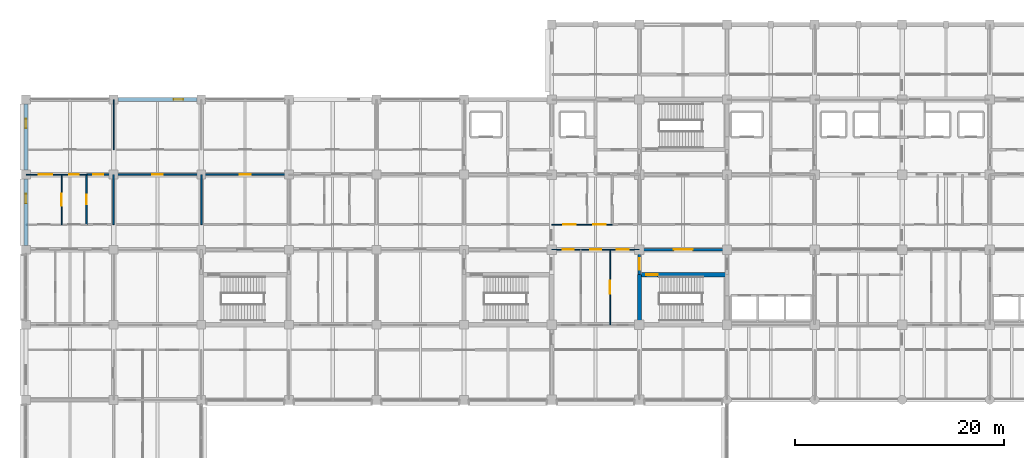
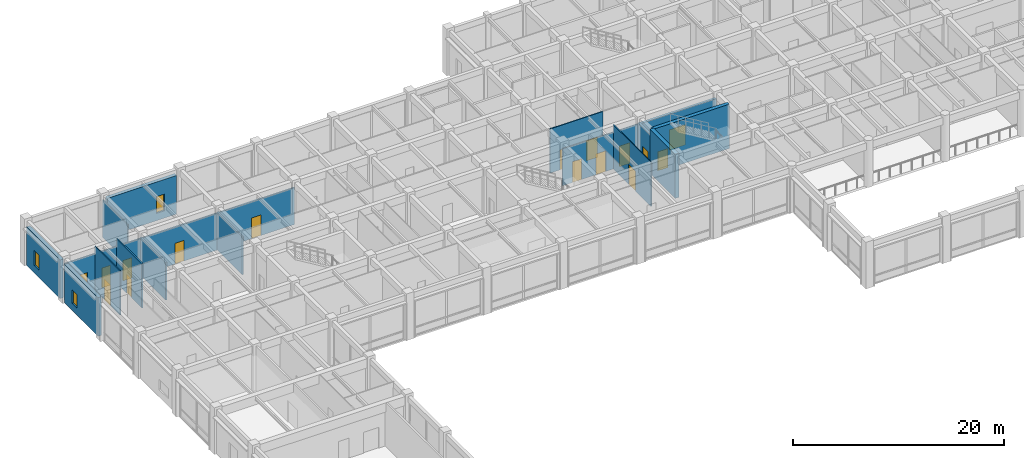
# One storey, part 27 of 51: 17 walls, 16 doors, 3 windows, 19 openings.
"""IFC4 building model written with IfcOpenShell, lengths in metres."""

from ifc_helpers import new_model, si_unit, direction, frame, frame_2d, origin, place, context, subcontext, project, spatial, rectangle, extrude, material, layer, layer_set, type_object, element, fill, save


model = new_model("IFC4")

# Units and contexts
model_context = context("Model", 3, precision=1e-05, world=origin(), true_north=direction((0.0, 1.0)))
body_context = subcontext(model_context, "Body", "Model", "MODEL_VIEW")
ifc_project = project(units=[si_unit("LENGTHUNIT", "METRE"), si_unit("AREAUNIT", "SQUARE_METRE"), si_unit("VOLUMEUNIT", "CUBIC_METRE"), si_unit("PLANEANGLEUNIT", "RADIAN"), si_unit("MASSUNIT", "GRAM", prefix="KILO")], contexts=[model_context])

# Site, building, storey
site_placement = place(None, origin())
site = spatial("IfcSite", under=ifc_project, at=site_placement, CompositionType="ELEMENT")
building_placement = place(site_placement, origin())
building = spatial("IfcBuilding", under=site, at=building_placement, Name="Chengyuan Square Courthouse", CompositionType="ELEMENT")
storey_placement = place(building_placement, frame((0.0, 0.0, 10.800048828125)))
storey = spatial("IfcBuildingStorey", under=building, at=storey_placement, Name="L03", CompositionType="ELEMENT", Elevation=10.800048828125)

# Wall, opening, window
ifc_material_1 = material(Name="Concrete C40", Category="concrete")
ifc_layer_1 = layer(ifc_material_1, 0.3798828125)
ifc_layer_set_1 = layer_set([ifc_layer_1], Name="Concrete C40")
wall_type_1 = type_object("IfcWallType", Name="WL-EW1", PredefinedType="STANDARD", material=ifc_layer_set_1)
wall_1_placement = place(storey_placement, frame((0.0, 94.02001953125, 0.0), z_axis=(0.0, 0.0, 1.0), x_axis=(0.0, 1.0, 0.0)))
wall_1 = element("IfcWall", 1, at=wall_1_placement, inside=storey, type_object=wall_type_1, Name="Exterior Wall WL-L03-E262", PredefinedType="STANDARD", context=body_context, shape_type="SweptSolid", body=[
    extrude(rectangle(XDim=6.35986328125, YDim=0.3798828125, at=frame_2d((3.179931640625, 0.0))), origin(), (0.0, 0.0, 1.0), 4.469970703125),
])
opening_1_placement = place(wall_1_placement, frame((4.030029296875, 0.0, 0.85009765625)))
opening_1 = element("IfcOpeningElement", 2, at=opening_1_placement, cuts=wall_1, Name="Opening WN-063", PredefinedType="OPENING", context=body_context, shape_type="SweptSolid", body=[
    extrude(rectangle(XDim=0.89990234375, YDim=1.56005859375, at=frame_2d((0.449951171875, 0.780029296875))), frame((0.0, 0.201904296875, 0.0), z_axis=(0.0, -1.0, 0.0), x_axis=(1.0, 0.0, 0.0)), (0.0, 0.0, 1.0), 0.40380859375),
])
ifc_material_2 = material(Name="Thermally Broken Aluminium Triple Low-E Window", Category="aluminium")
window_type_1 = type_object("IfcWindowType", Name="WT-03", PartitioningType="SINGLE_PANEL", PredefinedType="WINDOW", material=ifc_material_2)
window_1_placement = place(opening_1_placement, origin())
window_1 = element("IfcWindow", 3, at=window_1_placement, inside=storey, type_object=window_type_1, Name="Facade Window WN-063", OverallHeight=1.56005859375, OverallWidth=0.89990234375, PartitioningType="SINGLE_PANEL", PredefinedType="WINDOW", context=body_context, shape_type="SweptSolid", body=[
    extrude(rectangle(XDim=0.89990234375, YDim=1.56005859375, at=frame_2d((0.449951171875, 0.780029296875))), frame((0.0, 0.030029296875, 0.0), z_axis=(0.0, -1.0, 0.0), x_axis=(1.0, 0.0, 0.0)), (0.0, 0.0, 1.0), 0.06005859375),
])
fill(opening_1, window_1)

wall_2_placement = place(storey_placement, frame((0.0, 101.219970703125, 0.0), z_axis=(0.0, 0.0, 1.0), x_axis=(0.0, 1.0, 0.0)))
wall_2 = element("IfcWall", 4, at=wall_2_placement, inside=storey, type_object=wall_type_1, Name="Exterior Wall WL-L03-E263", PredefinedType="STANDARD", context=body_context, shape_type="SweptSolid", body=[
    extrude(rectangle(XDim=6.360107421875, YDim=0.3798828125, at=frame_2d((3.18017578125, 0.0))), origin(), (0.0, 0.0, 1.0), 4.469970703125),
])
opening_2_placement = place(wall_2_placement, frame((4.030029296875, 0.0, 0.85009765625)))
opening_2 = element("IfcOpeningElement", 5, at=opening_2_placement, cuts=wall_2, Name="Opening WN-064", PredefinedType="OPENING", context=body_context, shape_type="SweptSolid", body=[
    extrude(rectangle(XDim=0.89990234375, YDim=1.739990234375, at=frame_2d((0.449951171875, 0.8701171875))), frame((0.0, 0.201904296875, 0.0), z_axis=(0.0, -1.0, 0.0), x_axis=(1.0, 0.0, 0.0)), (0.0, 0.0, 1.0), 0.40380859375),
])
window_type_2 = type_object("IfcWindowType", Name="WT-04", PartitioningType="SINGLE_PANEL", PredefinedType="WINDOW", material=ifc_material_2)
window_2_placement = place(opening_2_placement, origin())
window_2 = element("IfcWindow", 6, at=window_2_placement, inside=storey, type_object=window_type_2, Name="Facade Window WN-064", OverallHeight=1.739990234375, OverallWidth=0.89990234375, PartitioningType="SINGLE_PANEL", PredefinedType="WINDOW", context=body_context, shape_type="SweptSolid", body=[
    extrude(rectangle(XDim=0.89990234375, YDim=1.739990234375, at=frame_2d((0.449951171875, 0.8701171875))), frame((0.0, 0.030029296875, 0.0), z_axis=(0.0, -1.0, 0.0), x_axis=(1.0, 0.0, 0.0)), (0.0, 0.0, 1.0), 0.06005859375),
])
fill(opening_2, window_2)

wall_3_placement = place(storey_placement, frame((8.820068359375, 108.0, 0.0), z_axis=(0.0, 0.0, 1.0), x_axis=(1.0, 0.0, 0.0)))
wall_3 = element("IfcWall", 7, at=wall_3_placement, inside=storey, type_object=wall_type_1, Name="Exterior Wall WL-L03-E268", PredefinedType="STANDARD", context=body_context, shape_type="SweptSolid", body=[
    extrude(rectangle(XDim=7.559814453125, YDim=0.3798828125, at=frame_2d((3.77978515625, 0.0))), origin(), (0.0, 0.0, 1.0), 4.469970703125),
])
opening_3_placement = place(wall_3_placement, frame((5.330078125, 0.0, 0.85009765625)))
opening_3 = element("IfcOpeningElement", 8, at=opening_3_placement, cuts=wall_3, Name="Opening WN-067", PredefinedType="OPENING", context=body_context, shape_type="SweptSolid", body=[
    extrude(rectangle(XDim=0.89990234375, YDim=1.919921875, at=frame_2d((0.449951171875, 0.9599609375))), frame((0.0, 0.201904296875, 0.0), z_axis=(0.0, -1.0, 0.0), x_axis=(1.0, 0.0, 0.0)), (0.0, 0.0, 1.0), 0.40380859375),
])
window_type_3 = type_object("IfcWindowType", Name="WT-05", PartitioningType="SINGLE_PANEL", PredefinedType="WINDOW", material=ifc_material_2)
window_3_placement = place(opening_3_placement, origin())
window_3 = element("IfcWindow", 9, at=window_3_placement, inside=storey, type_object=window_type_3, Name="Facade Window WN-067", OverallHeight=1.919921875, OverallWidth=0.89990234375, PartitioningType="SINGLE_PANEL", PredefinedType="WINDOW", context=body_context, shape_type="SweptSolid", body=[
    extrude(rectangle(XDim=0.89990234375, YDim=1.919921875, at=frame_2d((0.449951171875, 0.9599609375))), frame((0.0, 0.030029296875, 0.0), z_axis=(0.0, -1.0, 0.0), x_axis=(1.0, 0.0, 0.0)), (0.0, 0.0, 1.0), 0.06005859375),
])
fill(opening_3, window_3)

# Wall, opening, door
ifc_layer_2 = layer(ifc_material_1, 0.25)
ifc_layer_set_2 = layer_set([ifc_layer_2], Name="Concrete C40")
wall_type_2 = type_object("IfcWallType", Name="WL-FW1", PredefinedType="STANDARD", material=ifc_layer_set_2)
wall_4_placement = place(storey_placement, frame((58.800048828125, 93.60009765625, 0.0), z_axis=(0.0, 0.0, 1.0), x_axis=(1.0, 0.0, 0.0)))
wall_4 = element("IfcWall", 10, at=wall_4_placement, inside=storey, type_object=wall_type_2, Name="Interior Wall WL-L03-I1453", PredefinedType="STANDARD", context=body_context, shape_type="SweptSolid", body=[
    extrude(rectangle(XDim=8.39990234375, YDim=0.25, at=frame_2d((4.199951171875, 0.0))), origin(), (0.0, 0.0, 1.0), 4.27001953125),
])
opening_4_placement = place(wall_4_placement, frame((3.300048828125, 0.0, 0.0)))
opening_4 = element("IfcOpeningElement", 11, at=opening_4_placement, cuts=wall_4, Name="Opening DR-1334", PredefinedType="OPENING", context=body_context, shape_type="SweptSolid", body=[
    extrude(rectangle(XDim=1.800048828125, YDim=2.35009765625, at=frame_2d((0.89990234375, 1.175048828125))), frame((0.0, 0.136962890625, 0.0), z_axis=(0.0, -1.0, 0.0), x_axis=(1.0, 0.0, 0.0)), (0.0, 0.0, 1.0), 0.27392578125),
])
ifc_material_3 = material(Name="Steel Q235B Glazed Fire Door", Category="steel")
door_type_1 = type_object("IfcDoorType", Name="DT-18", OperationType="DOUBLE_DOOR_SINGLE_SWING", PredefinedType="DOOR", material=ifc_material_3)
door_1_placement = place(opening_4_placement, frame((1.800048828125, 0.0, 0.0), z_axis=(0.0, 0.0, 1.0), x_axis=(-1.0, 0.0, 0.0)))
door_1 = element("IfcDoor", 12, at=door_1_placement, inside=storey, type_object=door_type_1, Name="Interior Door DR-1334", OperationType="DOUBLE_DOOR_SINGLE_SWING", OverallHeight=2.35009765625, OverallWidth=1.800048828125, PredefinedType="DOOR", context=body_context, shape_type="SweptSolid", body=[
    extrude(rectangle(XDim=1.800048828125, YDim=2.35009765625, at=frame_2d((0.89990234375, 1.175048828125))), frame((0.0, 0.02490234375, 0.0), z_axis=(0.0, -1.0, 0.0), x_axis=(1.0, 0.0, 0.0)), (0.0, 0.0, 1.0), 0.050048828125),
])
fill(opening_4, door_1)

wall_5_placement = place(storey_placement, frame((58.800048828125, 91.199951171875, 0.0), z_axis=(0.0, 0.0, 1.0), x_axis=(0.0, 1.0, 0.0)))
wall_5 = element("IfcWall", 13, at=wall_5_placement, inside=storey, type_object=wall_type_2, Name="Interior Wall WL-L03-I1605", PredefinedType="STANDARD", context=body_context, shape_type="SweptSolid", body=[
    extrude(rectangle(XDim=2.400146484375, YDim=0.25, at=frame_2d((1.2001953125, 0.0))), origin(), (0.0, 0.0, 1.0), 4.369873046875),
])
opening_5_placement = place(wall_5_placement, frame((0.465087890625, 0.0, 0.0)))
opening_5 = element("IfcOpeningElement", 14, at=opening_5_placement, cuts=wall_5, Name="Opening DR-1335", PredefinedType="OPENING", context=body_context, shape_type="SweptSolid", body=[
    extrude(rectangle(XDim=1.10009765625, YDim=2.199951171875, at=frame_2d((0.550048828125, 1.10009765625))), frame((0.0, 0.136962890625, 0.0), z_axis=(0.0, -1.0, 0.0), x_axis=(1.0, 0.0, 0.0)), (0.0, 0.0, 1.0), 0.27392578125),
])
ifc_material_4 = material(Name="Steel Q235B Fire Door", Category="steel")
door_type_2 = type_object("IfcDoorType", Name="DT-10", OperationType="NOTDEFINED", PredefinedType="DOOR", material=ifc_material_4)
door_2_placement = place(opening_5_placement, origin())
door_2 = element("IfcDoor", 15, at=door_2_placement, inside=storey, type_object=door_type_2, Name="Interior Door DR-1335", OperationType="SINGLE_SWING_LEFT", OverallHeight=2.199951171875, OverallWidth=1.10009765625, PredefinedType="DOOR", context=body_context, shape_type="SweptSolid", body=[
    extrude(rectangle(XDim=1.10009765625, YDim=2.199951171875, at=frame_2d((0.550048828125, 1.10009765625))), frame((0.0, 0.02490234375, 0.0), z_axis=(0.0, -1.0, 0.0), x_axis=(1.0, 0.0, 0.0)), (0.0, 0.0, 1.0), 0.050048828125),
])
fill(opening_5, door_2)

# Wall, openings, doors
ifc_material_5 = material(Name="Deliberation Room Sound-Insulated Partition")
ifc_layer_3 = layer(ifc_material_5, 0.14990234375)
ifc_layer_set_3 = layer_set([ifc_layer_3], Name="Deliberation Room Sound-Insulated Partition")
wall_type_3 = type_object("IfcWallType", Name="WL-PT3", PredefinedType="STANDARD", material=ifc_layer_set_3)
wall_6_placement = place(storey_placement, frame((5.800048828125, 100.800048828125, 0.0), z_axis=(0.0, 0.0, 1.0), x_axis=(1.0, 0.0, 0.0)))
wall_6 = element("IfcWall", 16, at=wall_6_placement, inside=storey, type_object=wall_type_3, Name="Interior Wall WL-L03-I1476", PredefinedType="STANDARD", context=body_context, shape_type="SweptSolid", body=[
    extrude(rectangle(XDim=19.39990234375, YDim=0.14990234375, at=frame_2d((9.699951171875, 0.0))), origin(), (0.0, 0.0, 1.0), 4.27001953125),
])
opening_6_placement = place(wall_6_placement, frame((0.637451171875, 0.0, 0.0)))
opening_6 = element("IfcOpeningElement", 17, at=opening_6_placement, cuts=wall_6, Name="Opening DR-1421", PredefinedType="OPENING", context=body_context, shape_type="SweptSolid", body=[
    extrude(rectangle(XDim=0.97998046875, YDim=2.35009765625, at=frame_2d((0.489990234375, 1.175048828125))), frame((0.0, 0.0869140625, 0.0), z_axis=(0.0, -1.0, 0.0), x_axis=(1.0, 0.0, 0.0)), (0.0, 0.0, 1.0), 0.173828125),
])
opening_7_placement = place(wall_6_placement, frame((6.2900390625, 0.0, 0.0)))
opening_7 = element("IfcOpeningElement", 18, at=opening_7_placement, cuts=wall_6, Name="Opening DR-1422", PredefinedType="OPENING", context=body_context, shape_type="SweptSolid", body=[
    extrude(rectangle(XDim=1.02001953125, YDim=2.39990234375, at=frame_2d((0.510009765625, 1.199951171875))), frame((0.0, 0.0869140625, 0.0), z_axis=(0.0, -1.0, 0.0), x_axis=(1.0, 0.0, 0.0)), (0.0, 0.0, 1.0), 0.173828125),
])
opening_8_placement = place(wall_6_placement, frame((14.669921875, 0.0, 0.0)))
opening_8 = element("IfcOpeningElement", 19, at=opening_8_placement, cuts=wall_6, Name="Opening DR-1423", PredefinedType="OPENING", context=body_context, shape_type="SweptSolid", body=[
    extrude(rectangle(XDim=1.06005859375, YDim=2.39990234375, at=frame_2d((0.530029296875, 1.199951171875))), frame((0.0, 0.0869140625, 0.0), z_axis=(0.0, -1.0, 0.0), x_axis=(1.0, 0.0, 0.0)), (0.0, 0.0, 1.0), 0.173828125),
])
ifc_material_6 = material(Name="Acoustic Solid-Core Timber Door", Category="wood")
door_type_3 = type_object("IfcDoorType", Name="DT-40", OperationType="NOTDEFINED", PredefinedType="DOOR", material=ifc_material_6)
door_3_placement = place(opening_6_placement, origin())
door_3 = element("IfcDoor", 20, at=door_3_placement, inside=storey, type_object=door_type_3, Name="Interior Door DR-1421", OperationType="SINGLE_SWING_LEFT", OverallHeight=2.35009765625, OverallWidth=0.97998046875, PredefinedType="DOOR", context=body_context, shape_type="SweptSolid", body=[
    extrude(rectangle(XDim=0.97998046875, YDim=2.35009765625, at=frame_2d((0.489990234375, 1.175048828125))), frame((0.0, 0.02490234375, 0.0), z_axis=(0.0, -1.0, 0.0), x_axis=(1.0, 0.0, 0.0)), (0.0, 0.0, 1.0), 0.050048828125),
])
fill(opening_6, door_3)
door_type_4 = type_object("IfcDoorType", Name="DT-41", OperationType="NOTDEFINED", PredefinedType="DOOR", material=ifc_material_6)
door_4_placement = place(opening_7_placement, origin())
door_4 = element("IfcDoor", 21, at=door_4_placement, inside=storey, type_object=door_type_4, Name="Interior Door DR-1422", OperationType="SINGLE_SWING_RIGHT", OverallHeight=2.39990234375, OverallWidth=1.02001953125, PredefinedType="DOOR", context=body_context, shape_type="SweptSolid", body=[
    extrude(rectangle(XDim=1.02001953125, YDim=2.39990234375, at=frame_2d((0.510009765625, 1.199951171875))), frame((0.0, 0.02490234375, 0.0), z_axis=(0.0, -1.0, 0.0), x_axis=(1.0, 0.0, 0.0)), (0.0, 0.0, 1.0), 0.050048828125),
])
fill(opening_7, door_4)
door_type_5 = type_object("IfcDoorType", Name="DT-42", OperationType="NOTDEFINED", PredefinedType="DOOR", material=ifc_material_6)
door_5_placement = place(opening_8_placement, origin())
door_5 = element("IfcDoor", 22, at=door_5_placement, inside=storey, type_object=door_type_5, Name="Interior Door DR-1423", OperationType="SINGLE_SWING_LEFT", OverallHeight=2.39990234375, OverallWidth=1.06005859375, PredefinedType="DOOR", context=body_context, shape_type="SweptSolid", body=[
    extrude(rectangle(XDim=1.06005859375, YDim=2.39990234375, at=frame_2d((0.530029296875, 1.199951171875))), frame((0.0, 0.02490234375, 0.0), z_axis=(0.0, -1.0, 0.0), x_axis=(1.0, 0.0, 0.0)), (0.0, 0.0, 1.0), 0.050048828125),
])
fill(opening_8, door_5)

# Wall, opening, door
wall_7_placement = place(storey_placement, frame((5.800048828125, 96.0, 0.0), z_axis=(0.0, 0.0, 1.0), x_axis=(0.0, 1.0, 0.0)))
wall_7 = element("IfcWall", 23, at=wall_7_placement, inside=storey, type_object=wall_type_3, Name="Interior Wall WL-L03-I1552", PredefinedType="STANDARD", context=body_context, shape_type="SweptSolid", body=[
    extrude(rectangle(XDim=4.800048828125, YDim=0.14990234375, at=frame_2d((2.39990234375, 0.0))), origin(), (0.0, 0.0, 1.0), 5.119873046875),
])
opening_9_placement = place(wall_7_placement, frame((1.949951171875, 0.0, 0.0)))
opening_9 = element("IfcOpeningElement", 24, at=opening_9_placement, cuts=wall_7, Name="Opening DR-1510", PredefinedType="OPENING", context=body_context, shape_type="SweptSolid", body=[
    extrude(rectangle(XDim=0.89990234375, YDim=2.14990234375, at=frame_2d((0.449951171875, 1.074951171875))), frame((0.0, 0.0869140625, 0.0), z_axis=(0.0, -1.0, 0.0), x_axis=(1.0, 0.0, 0.0)), (0.0, 0.0, 1.0), 0.173828125),
])
door_type_6 = type_object("IfcDoorType", Name="DT-27", OperationType="NOTDEFINED", PredefinedType="DOOR", material=ifc_material_6)
door_6_placement = place(opening_9_placement, origin())
door_6 = element("IfcDoor", 25, at=door_6_placement, inside=storey, type_object=door_type_6, Name="Interior Door DR-1510", OperationType="SINGLE_SWING_RIGHT", OverallHeight=2.14990234375, OverallWidth=0.89990234375, PredefinedType="DOOR", context=body_context, shape_type="SweptSolid", body=[
    extrude(rectangle(XDim=0.89990234375, YDim=2.14990234375, at=frame_2d((0.449951171875, 1.074951171875))), frame((0.0, 0.02490234375, 0.0), z_axis=(0.0, -1.0, 0.0), x_axis=(1.0, 0.0, 0.0)), (0.0, 0.0, 1.0), 0.050048828125),
])
fill(opening_9, door_6)

# Walls
for number, where, z_axis, x_axis, name in (
    (26, (8.39990234375, 96.0, 0.0), (0.0, 0.0, 1.0), (0.0, 1.0, 0.0), "Interior Wall WL-L03-I1559"),
    (27, (16.800048828125, 96.0, 0.0), (0.0, 0.0, 1.0), (0.0, 1.0, 0.0), "Interior Wall WL-L03-I1567"),
):
    element("IfcWall", number, at=place(storey_placement, frame(where, z_axis=z_axis, x_axis=x_axis)), inside=storey, type_object=wall_type_3, Name=name, PredefinedType="STANDARD", context=body_context, shape_type="SweptSolid", body=[
        extrude(rectangle(XDim=4.800048828125, YDim=0.14990234375, at=frame_2d((2.39990234375, 0.0))), origin(), (0.0, 0.0, 1.0), 4.369873046875),
    ])

# Wall, openings, doors
ifc_material_7 = material(Name="Gypsum Plasterboard Acoustic Stud Partition")
ifc_layer_4 = layer(ifc_material_7, 0.10009765625)
ifc_layer_set_4 = layer_set([ifc_layer_4], Name="Gypsum Plasterboard Acoustic Stud Partition")
wall_type_4 = type_object("IfcWallType", Name="WL-PT6", PredefinedType="STANDARD", material=ifc_layer_set_4)
wall_8_placement = place(storey_placement, frame((50.39990234375, 93.60009765625, 0.0), z_axis=(0.0, 0.0, 1.0), x_axis=(1.0, 0.0, 0.0)))
wall_8 = element("IfcWall", 28, at=wall_8_placement, inside=storey, type_object=wall_type_4, Name="Interior Wall WL-L03-I1452", PredefinedType="STANDARD", context=body_context, shape_type="SweptSolid", body=[
    extrude(rectangle(XDim=8.400146484375, YDim=0.10009765625, at=frame_2d((4.2001953125, 0.0))), origin(), (0.0, 0.0, 1.0), 4.27001953125),
])
opening_10_placement = place(wall_8_placement, frame((1.074951171875, 0.0, 0.0)))
opening_10 = element("IfcOpeningElement", 29, at=opening_10_placement, cuts=wall_8, Name="Opening DR-1473", PredefinedType="OPENING", context=body_context, shape_type="SweptSolid", body=[
    extrude(rectangle(XDim=1.02001953125, YDim=2.39990234375, at=frame_2d((0.510009765625, 1.199951171875))), frame((0.0, 0.06201171875, 0.0), z_axis=(0.0, -1.0, 0.0), x_axis=(1.0, 0.0, 0.0)), (0.0, 0.0, 1.0), 0.1240234375),
])
opening_11_placement = place(wall_8_placement, frame((3.669921875, 0.0, 0.0)))
opening_11 = element("IfcOpeningElement", 30, at=opening_11_placement, cuts=wall_8, Name="Opening DR-1474", PredefinedType="OPENING", context=body_context, shape_type="SweptSolid", body=[
    extrude(rectangle(XDim=1.06005859375, YDim=2.39990234375, at=frame_2d((0.530029296875, 1.199951171875))), frame((0.0, 0.06201171875, 0.0), z_axis=(0.0, -1.0, 0.0), x_axis=(1.0, 0.0, 0.0)), (0.0, 0.0, 1.0), 0.1240234375),
])
opening_12_placement = place(wall_8_placement, frame((6.2451171875, 0.0, 0.0)))
opening_12 = element("IfcOpeningElement", 31, at=opening_12_placement, cuts=wall_8, Name="Opening DR-1475", PredefinedType="OPENING", context=body_context, shape_type="SweptSolid", body=[
    extrude(rectangle(XDim=1.139892578125, YDim=2.39990234375, at=frame_2d((0.56982421875, 1.199951171875))), frame((0.0, 0.06201171875, 0.0), z_axis=(0.0, -1.0, 0.0), x_axis=(1.0, 0.0, 0.0)), (0.0, 0.0, 1.0), 0.1240234375),
])
door_7_placement = place(opening_10_placement, origin())
door_7 = element("IfcDoor", 32, at=door_7_placement, inside=storey, type_object=door_type_4, Name="Interior Door DR-1473", OperationType="SINGLE_SWING_RIGHT", OverallHeight=2.39990234375, OverallWidth=1.02001953125, PredefinedType="DOOR", context=body_context, shape_type="SweptSolid", body=[
    extrude(rectangle(XDim=1.02001953125, YDim=2.39990234375, at=frame_2d((0.510009765625, 1.199951171875))), frame((0.0, 0.02490234375, 0.0), z_axis=(0.0, -1.0, 0.0), x_axis=(1.0, 0.0, 0.0)), (0.0, 0.0, 1.0), 0.050048828125),
])
fill(opening_10, door_7)
door_8_placement = place(opening_11_placement, origin())
door_8 = element("IfcDoor", 33, at=door_8_placement, inside=storey, type_object=door_type_5, Name="Interior Door DR-1474", OperationType="SINGLE_SWING_LEFT", OverallHeight=2.39990234375, OverallWidth=1.06005859375, PredefinedType="DOOR", context=body_context, shape_type="SweptSolid", body=[
    extrude(rectangle(XDim=1.06005859375, YDim=2.39990234375, at=frame_2d((0.530029296875, 1.199951171875))), frame((0.0, 0.02490234375, 0.0), z_axis=(0.0, -1.0, 0.0), x_axis=(1.0, 0.0, 0.0)), (0.0, 0.0, 1.0), 0.050048828125),
])
fill(opening_11, door_8)
door_type_7 = type_object("IfcDoorType", Name="DT-43", OperationType="NOTDEFINED", PredefinedType="DOOR", material=ifc_material_6)
door_9_placement = place(opening_12_placement, origin())
door_9 = element("IfcDoor", 34, at=door_9_placement, inside=storey, type_object=door_type_7, Name="Interior Door DR-1475", OperationType="SINGLE_SWING_RIGHT", OverallHeight=2.39990234375, OverallWidth=1.139892578125, PredefinedType="DOOR", context=body_context, shape_type="SweptSolid", body=[
    extrude(rectangle(XDim=1.139892578125, YDim=2.39990234375, at=frame_2d((0.56982421875, 1.199951171875))), frame((0.0, 0.02490234375, 0.0), z_axis=(0.0, -1.0, 0.0), x_axis=(1.0, 0.0, 0.0)), (0.0, 0.0, 1.0), 0.050048828125),
])
fill(opening_12, door_9)

wall_9_placement = place(storey_placement, frame((50.39990234375, 96.0, 0.0), z_axis=(0.0, 0.0, 1.0), x_axis=(1.0, 0.0, 0.0)))
wall_9 = element("IfcWall", 35, at=wall_9_placement, inside=storey, type_object=wall_type_4, Name="Interior Wall WL-L03-I1465", PredefinedType="STANDARD", context=body_context, shape_type="SweptSolid", body=[
    extrude(rectangle(XDim=5.800048828125, YDim=0.10009765625, at=frame_2d((2.89990234375, 0.0))), origin(), (0.0, 0.0, 1.0), 5.119873046875),
])
opening_13_placement = place(wall_9_placement, frame((1.1201171875, 0.0, 0.0)))
opening_13 = element("IfcOpeningElement", 36, at=opening_13_placement, cuts=wall_9, Name="Opening DR-1467", PredefinedType="OPENING", context=body_context, shape_type="SweptSolid", body=[
    extrude(rectangle(XDim=1.159912109375, YDim=2.300048828125, at=frame_2d((0.580078125, 1.14990234375))), frame((0.0, 0.06201171875, 0.0), z_axis=(0.0, -1.0, 0.0), x_axis=(1.0, 0.0, 0.0)), (0.0, 0.0, 1.0), 0.1240234375),
])
opening_14_placement = place(wall_9_placement, frame((4.0, 0.0, 0.0)))
opening_14 = element("IfcOpeningElement", 37, at=opening_14_placement, cuts=wall_9, Name="Opening DR-1468", PredefinedType="OPENING", context=body_context, shape_type="SweptSolid", body=[
    extrude(rectangle(XDim=1.199951171875, YDim=2.35009765625, at=frame_2d((0.60009765625, 1.175048828125))), frame((0.0, 0.06201171875, 0.0), z_axis=(0.0, -1.0, 0.0), x_axis=(1.0, 0.0, 0.0)), (0.0, 0.0, 1.0), 0.1240234375),
])
door_type_8 = type_object("IfcDoorType", Name="DT-35", OperationType="NOTDEFINED", PredefinedType="DOOR", material=ifc_material_6)
door_10_placement = place(opening_13_placement, origin())
door_10 = element("IfcDoor", 38, at=door_10_placement, inside=storey, type_object=door_type_8, Name="Interior Door DR-1467", OperationType="SINGLE_SWING_RIGHT", OverallHeight=2.300048828125, OverallWidth=1.159912109375, PredefinedType="DOOR", context=body_context, shape_type="SweptSolid", body=[
    extrude(rectangle(XDim=1.159912109375, YDim=2.300048828125, at=frame_2d((0.580078125, 1.14990234375))), frame((0.0, 0.02490234375, 0.0), z_axis=(0.0, -1.0, 0.0), x_axis=(1.0, 0.0, 0.0)), (0.0, 0.0, 1.0), 0.050048828125),
])
fill(opening_13, door_10)
door_type_9 = type_object("IfcDoorType", Name="DT-36", OperationType="NOTDEFINED", PredefinedType="DOOR", material=ifc_material_6)
door_11_placement = place(opening_14_placement, origin())
door_11 = element("IfcDoor", 39, at=door_11_placement, inside=storey, type_object=door_type_9, Name="Interior Door DR-1468", OperationType="SINGLE_SWING_LEFT", OverallHeight=2.35009765625, OverallWidth=1.199951171875, PredefinedType="DOOR", context=body_context, shape_type="SweptSolid", body=[
    extrude(rectangle(XDim=1.199951171875, YDim=2.35009765625, at=frame_2d((0.60009765625, 1.175048828125))), frame((0.0, 0.02490234375, 0.0), z_axis=(0.0, -1.0, 0.0), x_axis=(1.0, 0.0, 0.0)), (0.0, 0.0, 1.0), 0.050048828125),
])
fill(opening_14, door_11)

wall_10_placement = place(storey_placement, frame((0.0400390625, 100.800048828125, 0.0), z_axis=(0.0, 0.0, 1.0), x_axis=(1.0, 0.0, 0.0)))
wall_10 = element("IfcWall", 40, at=wall_10_placement, inside=storey, type_object=wall_type_4, Name="Interior Wall WL-L03-I1475", PredefinedType="STANDARD", context=body_context, shape_type="SweptSolid", body=[
    extrude(rectangle(XDim=5.760009765625, YDim=0.10009765625, at=frame_2d((2.8798828125, 0.0))), origin(), (0.0, 0.0, 1.0), 4.27001953125),
])
opening_15_placement = place(wall_10_placement, frame((1.1923828125, 0.0, 0.0)))
opening_15 = element("IfcOpeningElement", 41, at=opening_15_placement, cuts=wall_10, Name="Opening DR-1419", PredefinedType="OPENING", context=body_context, shape_type="SweptSolid", body=[
    extrude(rectangle(XDim=1.280029296875, YDim=2.35009765625, at=frame_2d((0.64013671875, 1.175048828125))), frame((0.0, 0.06201171875, 0.0), z_axis=(0.0, -1.0, 0.0), x_axis=(1.0, 0.0, 0.0)), (0.0, 0.0, 1.0), 0.1240234375),
])
opening_16_placement = place(wall_10_placement, frame((4.090087890625, 0.0, 0.0)))
opening_16 = element("IfcOpeningElement", 42, at=opening_16_placement, cuts=wall_10, Name="Opening DR-1420", PredefinedType="OPENING", context=body_context, shape_type="SweptSolid", body=[
    extrude(rectangle(XDim=0.93994140625, YDim=2.300048828125, at=frame_2d((0.469970703125, 1.14990234375))), frame((0.0, 0.06201171875, 0.0), z_axis=(0.0, -1.0, 0.0), x_axis=(1.0, 0.0, 0.0)), (0.0, 0.0, 1.0), 0.1240234375),
])
door_type_10 = type_object("IfcDoorType", Name="DT-38", OperationType="NOTDEFINED", PredefinedType="DOOR", material=ifc_material_6)
door_12_placement = place(opening_15_placement, origin())
door_12 = element("IfcDoor", 43, at=door_12_placement, inside=storey, type_object=door_type_10, Name="Interior Door DR-1419", OperationType="SINGLE_SWING_LEFT", OverallHeight=2.35009765625, OverallWidth=1.280029296875, PredefinedType="DOOR", context=body_context, shape_type="SweptSolid", body=[
    extrude(rectangle(XDim=1.280029296875, YDim=2.35009765625, at=frame_2d((0.64013671875, 1.175048828125))), frame((0.0, 0.02490234375, 0.0), z_axis=(0.0, -1.0, 0.0), x_axis=(1.0, 0.0, 0.0)), (0.0, 0.0, 1.0), 0.050048828125),
])
fill(opening_15, door_12)
door_type_11 = type_object("IfcDoorType", Name="DT-39", OperationType="NOTDEFINED", PredefinedType="DOOR", material=ifc_material_6)
door_13_placement = place(opening_16_placement, origin())
door_13 = element("IfcDoor", 44, at=door_13_placement, inside=storey, type_object=door_type_11, Name="Interior Door DR-1420", OperationType="SINGLE_SWING_RIGHT", OverallHeight=2.300048828125, OverallWidth=0.93994140625, PredefinedType="DOOR", context=body_context, shape_type="SweptSolid", body=[
    extrude(rectangle(XDim=0.93994140625, YDim=2.300048828125, at=frame_2d((0.469970703125, 1.14990234375))), frame((0.0, 0.02490234375, 0.0), z_axis=(0.0, -1.0, 0.0), x_axis=(1.0, 0.0, 0.0)), (0.0, 0.0, 1.0), 0.050048828125),
])
fill(opening_16, door_13)

# Wall, opening, door
wall_11_placement = place(storey_placement, frame((3.39990234375, 96.0, 0.0), z_axis=(0.0, 0.0, 1.0), x_axis=(0.0, 1.0, 0.0)))
wall_11 = element("IfcWall", 45, at=wall_11_placement, inside=storey, type_object=wall_type_4, Name="Interior Wall WL-L03-I1550", PredefinedType="STANDARD", context=body_context, shape_type="SweptSolid", body=[
    extrude(rectangle(XDim=4.800048828125, YDim=0.10009765625, at=frame_2d((2.39990234375, 0.0))), origin(), (0.0, 0.0, 1.0), 5.119873046875),
])
opening_17_placement = place(wall_11_placement, frame((1.830078125, 0.0, 0.0)))
opening_17 = element("IfcOpeningElement", 46, at=opening_17_placement, cuts=wall_11, Name="Opening DR-1509", PredefinedType="OPENING", context=body_context, shape_type="SweptSolid", body=[
    extrude(rectangle(XDim=1.139892578125, YDim=2.39990234375, at=frame_2d((0.56982421875, 1.199951171875))), frame((0.0, 0.06201171875, 0.0), z_axis=(0.0, -1.0, 0.0), x_axis=(1.0, 0.0, 0.0)), (0.0, 0.0, 1.0), 0.1240234375),
])
door_14_placement = place(opening_17_placement, origin())
door_14 = element("IfcDoor", 47, at=door_14_placement, inside=storey, type_object=door_type_7, Name="Interior Door DR-1509", OperationType="SINGLE_SWING_LEFT", OverallHeight=2.39990234375, OverallWidth=1.139892578125, PredefinedType="DOOR", context=body_context, shape_type="SweptSolid", body=[
    extrude(rectangle(XDim=1.139892578125, YDim=2.39990234375, at=frame_2d((0.56982421875, 1.199951171875))), frame((0.0, 0.02490234375, 0.0), z_axis=(0.0, -1.0, 0.0), x_axis=(1.0, 0.0, 0.0)), (0.0, 0.0, 1.0), 0.050048828125),
])
fill(opening_17, door_14)

# Wall
wall_12_placement = place(storey_placement, frame((8.39990234375, 103.199951171875, 0.0), z_axis=(0.0, 0.0, 1.0), x_axis=(0.0, 1.0, 0.0)))
element("IfcWall", 48, at=wall_12_placement, inside=storey, type_object=wall_type_4, Name="Interior Wall WL-L03-I1560", PredefinedType="STANDARD", context=body_context, shape_type="SweptSolid", body=[
    extrude(rectangle(XDim=4.760009765625, YDim=0.10009765625, at=frame_2d((2.3798828125, 0.0))), origin(), (0.0, 0.0, 1.0), 4.369873046875),
])

# Wall, opening, door
wall_13_placement = place(storey_placement, frame((56.0, 86.39990234375, 0.0), z_axis=(0.0, 0.0, 1.0), x_axis=(0.0, 1.0, 0.0)))
wall_13 = element("IfcWall", 49, at=wall_13_placement, inside=storey, type_object=wall_type_4, Name="Interior Wall WL-L03-I1601", PredefinedType="STANDARD", context=body_context, shape_type="SweptSolid", body=[
    extrude(rectangle(XDim=7.2001953125, YDim=0.10009765625, at=frame_2d((3.60009765625, 0.0))), origin(), (0.0, 0.0, 1.0), 5.119873046875),
])
opening_18_placement = place(wall_13_placement, frame((2.97998046875, 0.0, 0.0)))
opening_18 = element("IfcOpeningElement", 50, at=opening_18_placement, cuts=wall_13, Name="Opening DR-1537", PredefinedType="OPENING", context=body_context, shape_type="SweptSolid", body=[
    extrude(rectangle(XDim=1.239990234375, YDim=2.300048828125, at=frame_2d((0.6201171875, 1.14990234375))), frame((0.0, 0.06201171875, 0.0), z_axis=(0.0, -1.0, 0.0), x_axis=(1.0, 0.0, 0.0)), (0.0, 0.0, 1.0), 0.1240234375),
])
door_type_12 = type_object("IfcDoorType", Name="DT-37", OperationType="NOTDEFINED", PredefinedType="DOOR", material=ifc_material_6)
door_15_placement = place(opening_18_placement, origin())
door_15 = element("IfcDoor", 51, at=door_15_placement, inside=storey, type_object=door_type_12, Name="Interior Door DR-1537", OperationType="SINGLE_SWING_LEFT", OverallHeight=2.300048828125, OverallWidth=1.239990234375, PredefinedType="DOOR", context=body_context, shape_type="SweptSolid", body=[
    extrude(rectangle(XDim=1.239990234375, YDim=2.300048828125, at=frame_2d((0.6201171875, 1.14990234375))), frame((0.0, 0.02490234375, 0.0), z_axis=(0.0, -1.0, 0.0), x_axis=(1.0, 0.0, 0.0)), (0.0, 0.0, 1.0), 0.050048828125),
])
fill(opening_18, door_15)

ifc_material_8 = material(Name="Concrete C50", Category="concrete")
ifc_layer_5 = layer(ifc_material_8, 0.39990234375)
ifc_layer_set_5 = layer_set([ifc_layer_5], Name="Concrete C50")
wall_type_5 = type_object("IfcWallType", Name="WL-SW1", PredefinedType="SHEAR", material=ifc_layer_set_5)
wall_14_placement = place(storey_placement, frame((58.800048828125, 91.199951171875, 0.0), z_axis=(0.0, 0.0, 1.0), x_axis=(1.0, 0.0, 0.0)))
wall_14 = element("IfcWall", 52, at=wall_14_placement, inside=storey, type_object=wall_type_5, Name="Interior Wall WL-L03-I1443", PredefinedType="SHEAR", context=body_context, shape_type="SweptSolid", body=[
    extrude(rectangle(XDim=8.39990234375, YDim=0.39990234375, at=frame_2d((4.199951171875, 0.0))), origin(), (0.0, 0.0, 1.0), 5.119873046875),
])
opening_19_placement = place(wall_14_placement, frame((0.64990234375, 0.0, 0.0)))
opening_19 = element("IfcOpeningElement", 53, at=opening_19_placement, cuts=wall_14, Name="Opening DR-1319", PredefinedType="OPENING", context=body_context, shape_type="SweptSolid", body=[
    extrude(rectangle(XDim=1.10009765625, YDim=2.199951171875, at=frame_2d((0.550048828125, 1.10009765625))), frame((0.0, 0.2119140625, 0.0), z_axis=(0.0, -1.0, 0.0), x_axis=(1.0, 0.0, 0.0)), (0.0, 0.0, 1.0), 0.423828125),
])
door_16_placement = place(opening_19_placement, frame((1.10009765625, 0.0, 0.0), z_axis=(0.0, 0.0, 1.0), x_axis=(-1.0, 0.0, 0.0)))
door_16 = element("IfcDoor", 54, at=door_16_placement, inside=storey, type_object=door_type_2, Name="Smoke-Proof Stairwell Fire Door ST-3 DR-1319", OperationType="SINGLE_SWING_RIGHT", OverallHeight=2.199951171875, OverallWidth=1.10009765625, PredefinedType="DOOR", context=body_context, shape_type="SweptSolid", body=[
    extrude(rectangle(XDim=1.10009765625, YDim=2.199951171875, at=frame_2d((0.550048828125, 1.10009765625))), frame((0.0, 0.02490234375, 0.0), z_axis=(0.0, -1.0, 0.0), x_axis=(1.0, 0.0, 0.0)), (0.0, 0.0, 1.0), 0.050048828125),
])
fill(opening_19, door_16)

# Wall
wall_15_placement = place(storey_placement, frame((58.800048828125, 86.39990234375, 0.0), z_axis=(0.0, 0.0, 1.0), x_axis=(0.0, 1.0, 0.0)))
element("IfcWall", 55, at=wall_15_placement, inside=storey, type_object=wall_type_5, Name="Interior Wall WL-L03-I1604", PredefinedType="SHEAR", context=body_context, shape_type="SweptSolid", body=[
    extrude(rectangle(XDim=4.800048828125, YDim=0.39990234375, at=frame_2d((2.39990234375, 0.0))), origin(), (0.0, 0.0, 1.0), 5.119873046875),
])

save(model, "model.ifc")
